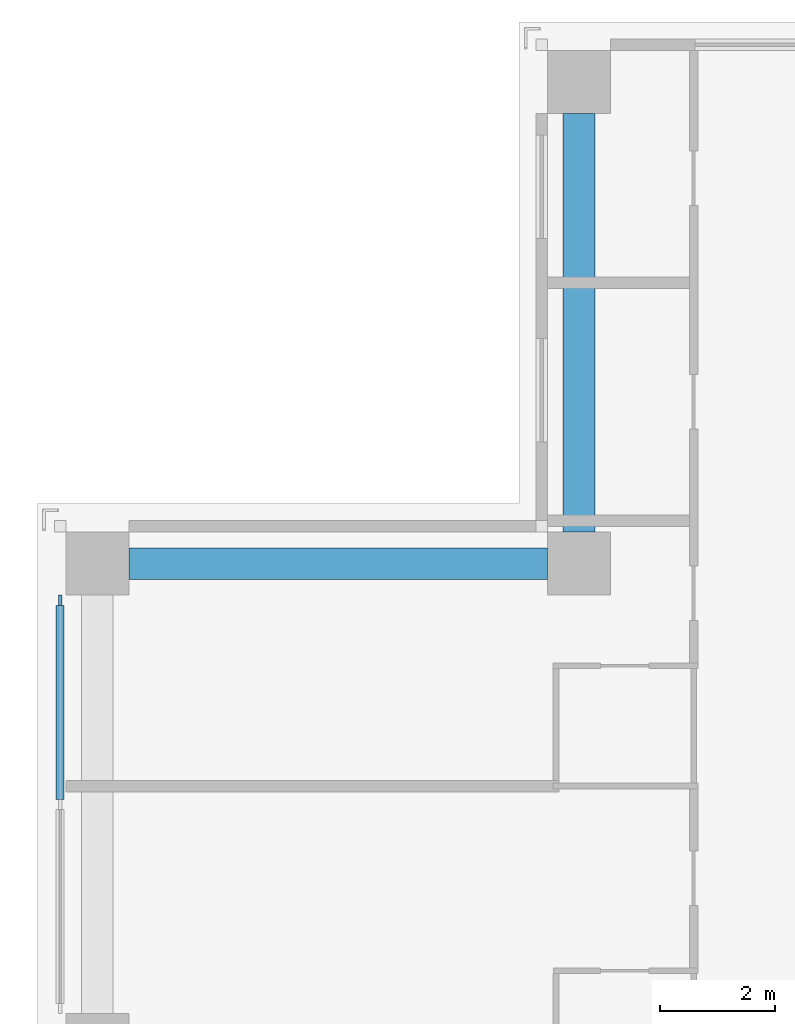
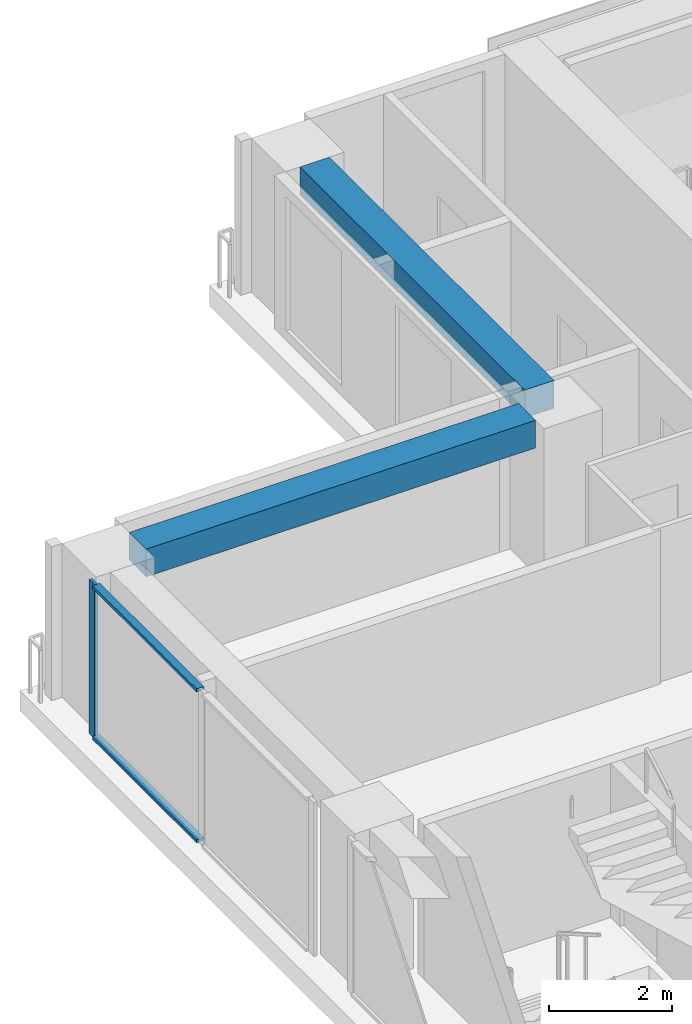
# One storey, part 6 of 16: 3 members, 2 beams, 1 element without a shape of its own.
"""IFC4 building model written with IfcOpenShell, lengths in metres."""

from ifc_helpers import new_model, si_unit, direction, frame, origin, origin_2d, place, context, subcontext, project, spatial, rectangle, extrude, material, material_profile, profile_set, type_object, element, aggregate, save


model = new_model("IFC4")

# Units and contexts
model_context = context("Model", 3, precision=1e-05, world=origin(), true_north=direction((0.0, 1.0)))
body_context = subcontext(model_context, "Body", "Model", "MODEL_VIEW")
ifc_project = project(units=[si_unit("LENGTHUNIT", "METRE"), si_unit("AREAUNIT", "SQUARE_METRE"), si_unit("VOLUMEUNIT", "CUBIC_METRE"), si_unit("PLANEANGLEUNIT", "RADIAN"), si_unit("MASSUNIT", "GRAM", prefix="KILO")], contexts=[model_context])

# Site, building, storey
site_placement = place(None, origin())
site = spatial("IfcSite", under=ifc_project, at=site_placement, CompositionType="ELEMENT")
building_placement = place(site_placement, origin())
building = spatial("IfcBuilding", under=site, at=building_placement, Name="Vermilion Ogive Tower", CompositionType="ELEMENT")
storey_placement = place(building_placement, frame((0.0, 0.0, 160.699951171875)))
storey = spatial("IfcBuildingStorey", under=building, at=storey_placement, Name="L41", CompositionType="ELEMENT", Elevation=160.699951171875)

# Curtain wall, members
ifc_material_1 = material(Name="Low-iron laminated glazing in aluminium frame", Category="aluminium")
curtain_wall_type = type_object("IfcCurtainWallType", Name="Curtain wall CW7", PredefinedType="NOTDEFINED", material=ifc_material_1)
curtain_wall_placement = place(storey_placement, origin())
curtain_wall = element("IfcCurtainWall", 1, at=curtain_wall_placement, inside=storey, type_object=curtain_wall_type, Name="Glazed skin W1", PredefinedType="NOTDEFINED")
ifc_material_2 = material(Name="Aluminium mullion", Category="aluminium")
ifc_material_profile_1 = material_profile(ifc_material_2, rectangle(XDim=0.06005859375, YDim=0.179931640625, at=origin_2d()), Name="AL 60x180")
ifc_profile_set_1 = profile_set([ifc_material_profile_1], Name="Aluminium mullion")
member_type_1 = type_object("IfcMemberType", Name="CW7 mullion 60x180", PredefinedType="MULLION", material=ifc_profile_set_1)
member_1_placement = place(storey_placement, frame((-21.64990234375, 11.9599609375, 0.0), z_axis=(0.0, 0.0, 1.0), x_axis=(1.0, 0.0, 0.0)))
member_1 = element("IfcMember", 2, at=member_1_placement, type_object=member_type_1, Name="CW7-W1 mullion 1", PredefinedType="MULLION", context=body_context, shape_type="SweptSolid", body=[
    extrude(rectangle(XDim=0.06005859375, YDim=0.179931640625, at=origin_2d()), origin(), (0.0, 0.0, 1.0), 3.050048828125),
])
ifc_material_3 = material(Name="Aluminium transom", Category="aluminium")
ifc_material_profile_2 = material_profile(ifc_material_3, rectangle(XDim=0.139892578125, YDim=0.06005859375, at=origin_2d()), Name="AL 60x140")
ifc_profile_set_2 = profile_set([ifc_material_profile_2], Name="Aluminium transom")
member_type_2 = type_object("IfcMemberType", Name="CW7 transom 60x140", PredefinedType="USERDEFINED", material=ifc_profile_set_2)
member_2_placement = place(storey_placement, frame((-21.64990234375, 11.8701171875, 0.030029296875), z_axis=(0.0, -1.0, 0.0), x_axis=(1.0, 0.0, 0.0)))
member_2 = element("IfcMember", 3, at=member_2_placement, type_object=member_type_2, Name="CW7-W1 transom 1.1", ObjectType="TRANSOM", PredefinedType="USERDEFINED", context=body_context, shape_type="SweptSolid", body=[
    extrude(rectangle(XDim=0.139892578125, YDim=0.06005859375, at=origin_2d()), origin(), (0.0, 0.0, 1.0), 3.380126953125),
])
member_3_placement = place(storey_placement, frame((-21.64990234375, 11.8701171875, 3.02001953125), z_axis=(0.0, -1.0, 0.0), x_axis=(1.0, 0.0, 0.0)))
member_3 = element("IfcMember", 4, at=member_3_placement, type_object=member_type_2, Name="CW7-W1 transom 1.2", ObjectType="TRANSOM", PredefinedType="USERDEFINED", context=body_context, shape_type="SweptSolid", body=[
    extrude(rectangle(XDim=0.139892578125, YDim=0.06005859375, at=origin_2d()), origin(), (0.0, 0.0, 1.0), 3.380126953125),
])
aggregate(curtain_wall, [member_1, member_2, member_3])

# Beams
ifc_material_4 = material(Name="Concrete B45", Category="concrete")
ifc_material_profile_3 = material_profile(ifc_material_4, rectangle(XDim=0.550048828125, YDim=0.550048828125, at=origin_2d()), Name="550 x 550")
ifc_profile_set_3 = profile_set([ifc_material_profile_3], Name="Concrete B45")
beam_type = type_object("IfcBeamType", Name="Edge beam 550 x 550 B45", PredefinedType="BEAM", material=ifc_profile_set_3)
for number, where, z_axis, x_axis, name in (
    (5, (-12.60009765625, 20.449951171875, 2.775146484375), (0.0, -1.0, 0.0), (1.0, 0.0, 0.0), "L41-EB-11"),
    (6, (-13.14990234375, 12.60009765625, 2.775146484375), (-1.0, 0.0, 0.0), (0.0, -1.0, 0.0), "L41-EB-12"),
):
    element("IfcBeam", number, at=place(storey_placement, frame(where, z_axis=z_axis, x_axis=x_axis)), inside=storey, type_object=beam_type, Name=name, PredefinedType="BEAM", context=body_context, shape_type="SweptSolid", body=[
        extrude(rectangle(XDim=0.550048828125, YDim=0.550048828125, at=origin_2d()), origin(), (0.0, 0.0, 1.0), 7.300048828125),
    ])

save(model, "model.ifc")
